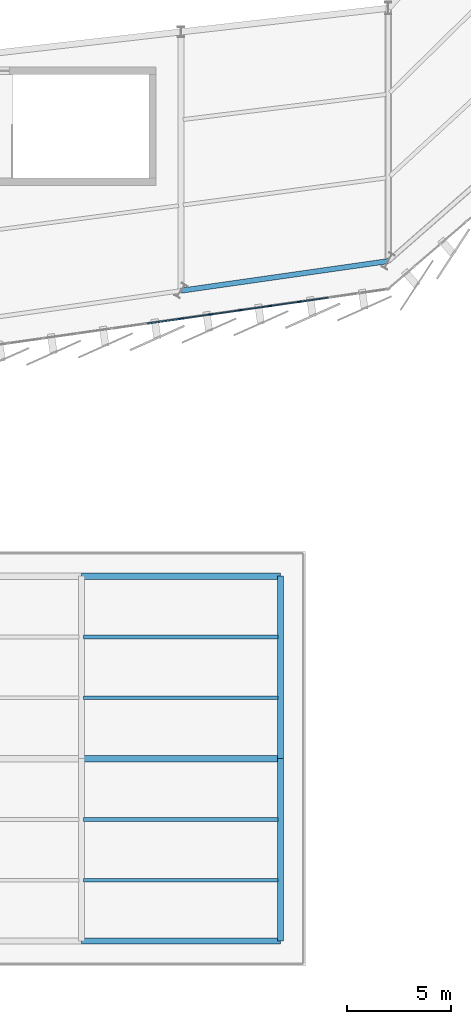
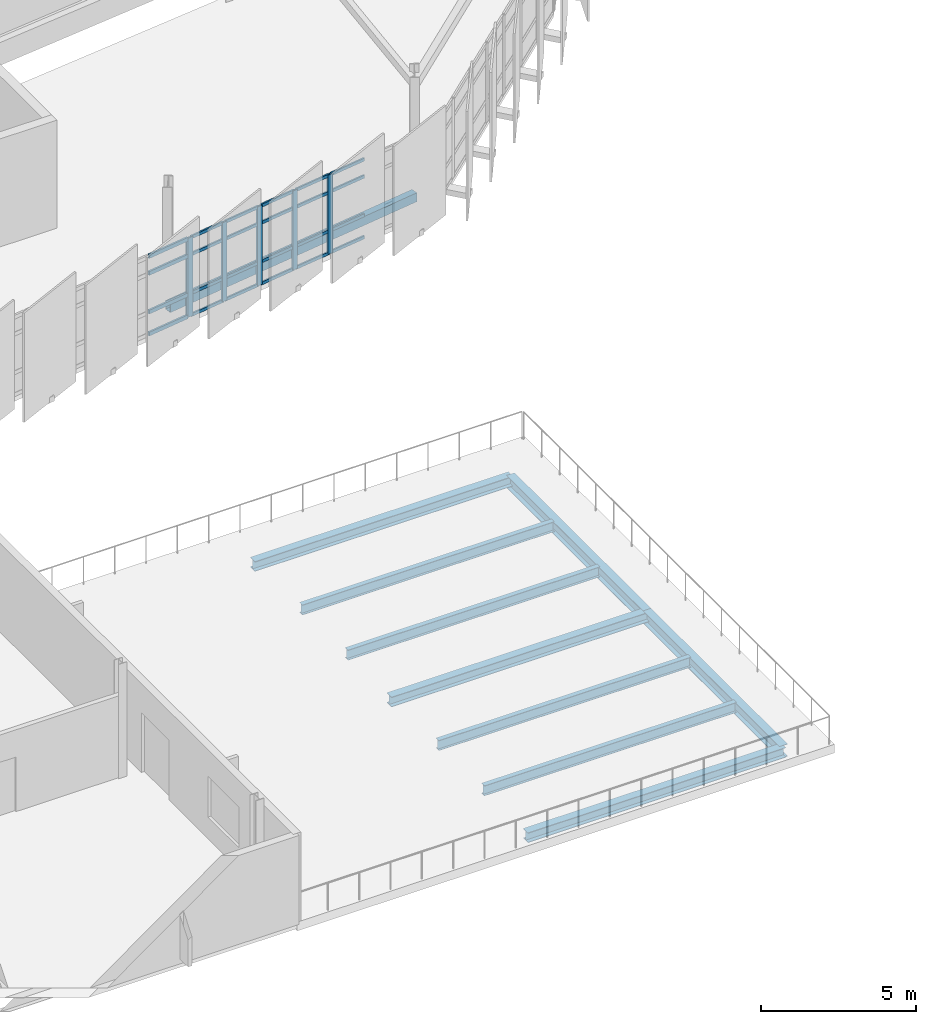
# One storey, part 39 of 87: 30 members, 10 beams, 2 elements without a shape of their own.
"""IFC4 building model written with IfcOpenShell, lengths in metres."""

from ifc_helpers import new_model, si_unit, direction, frame, origin, origin_2d, place, context, subcontext, project, spatial, rectangle, hollow_rectangle, i_section, extrude, material, layer, layer_set, material_profile, profile_set, type_object, element, aggregate, save


model = new_model("IFC4")

# Units and contexts
model_context = context("Model", 3, precision=1e-05, world=origin(), true_north=direction((0.0, 1.0)))
body_context = subcontext(model_context, "Body", "Model", "MODEL_VIEW")
ifc_project = project(units=[si_unit("LENGTHUNIT", "METRE"), si_unit("AREAUNIT", "SQUARE_METRE"), si_unit("VOLUMEUNIT", "CUBIC_METRE"), si_unit("PLANEANGLEUNIT", "RADIAN"), si_unit("MASSUNIT", "GRAM", prefix="KILO")], contexts=[model_context])

# Site, building, storey
site_placement = place(None, origin())
site = spatial("IfcSite", under=ifc_project, at=site_placement, CompositionType="ELEMENT")
building_placement = place(site_placement, origin())
building = spatial("IfcBuilding", under=site, at=building_placement, Name="Sohan Crest Arena", CompositionType="ELEMENT")
storey_placement = place(building_placement, frame((0.0, 0.0, 18.0)))
storey = spatial("IfcBuildingStorey", under=building, at=storey_placement, Name="L04", CompositionType="ELEMENT", Elevation=18.0)

# Curtain wall, member
ifc_material_1 = material(Name="Thermally broken anodised aluminium", Category="aluminium")
ifc_layer_1 = layer(ifc_material_1, 0.2099609375, Name="Thermally broken anodised aluminium")
ifc_layer_set_1 = layer_set([ifc_layer_1], Name="Thermally broken anodised aluminium")
curtain_wall_type_1 = type_object("IfcCurtainWallType", Name="ARC-CW06", PredefinedType="NOTDEFINED", material=ifc_layer_set_1)
curtain_wall_1_placement = place(storey_placement, origin())
curtain_wall_1 = element("IfcCurtainWall", 1, at=curtain_wall_1_placement, inside=storey, type_object=curtain_wall_type_1, Name="Unitised curtain wall CW-129", PredefinedType="NOTDEFINED")
ifc_material_profile_1 = material_profile(ifc_material_1, rectangle(XDim=0.06494140625, YDim=0.179931640625, at=origin_2d()), Name="ALU-MULL 65x180")
ifc_profile_set_1 = profile_set([ifc_material_profile_1], Name="Thermally broken anodised aluminium")
member_type_1 = type_object("IfcMemberType", Name="ARC-CW-ML02", PredefinedType="MULLION", material=ifc_profile_set_1)
member_1_placement = place(storey_placement, frame((157.9677734375, 37.21630859375, 0.0), z_axis=(0.0, 0.0, 1.0), x_axis=(-0.141365918403, 0.989957411768, 0.0)))
member_1 = element("IfcMember", 2, at=member_1_placement, type_object=member_type_1, Name="CW-129 mullion 7", PredefinedType="MULLION", context=body_context, shape_type="SweptSolid", body=[
    extrude(rectangle(XDim=0.06494140625, YDim=0.179931640625, at=origin_2d()), origin(), (0.0, 0.0, 1.0), 3.1201171875),
])

# Curtain wall, members
ifc_layer_2 = layer(ifc_material_1, 0.179931640625, Name="Thermally broken anodised aluminium")
ifc_layer_set_2 = layer_set([ifc_layer_2], Name="Thermally broken anodised aluminium")
curtain_wall_type_2 = type_object("IfcCurtainWallType", Name="ARC-CW01", PredefinedType="NOTDEFINED", material=ifc_layer_set_2)
curtain_wall_2_placement = place(storey_placement, origin())
curtain_wall_2 = element("IfcCurtainWall", 3, at=curtain_wall_2_placement, inside=storey, type_object=curtain_wall_type_2, Name="Unitised curtain wall CW-130", PredefinedType="NOTDEFINED")
ifc_material_profile_2 = material_profile(ifc_material_1, rectangle(XDim=0.070068359375, YDim=0.199951171875, at=origin_2d()), Name="ALU-MULL 70x200")
ifc_profile_set_2 = profile_set([ifc_material_profile_2], Name="Thermally broken anodised aluminium")
member_type_2 = type_object("IfcMemberType", Name="ARC-CW-ML03", PredefinedType="MULLION", material=ifc_profile_set_2)
member_2_placement = place(storey_placement, frame((158.03466796875, 37.225830078125, 0.0), z_axis=(0.0, 0.0, 1.0), x_axis=(-0.141462933734, 0.989943553128, 0.0)))
member_2 = element("IfcMember", 4, at=member_2_placement, type_object=member_type_2, Name="CW-130 mullion 1", PredefinedType="MULLION", context=body_context, shape_type="SweptSolid", body=[
    extrude(rectangle(XDim=0.070068359375, YDim=0.199951171875, at=origin_2d()), origin(), (0.0, 0.0, 1.0), 3.1201171875),
])
member_3_placement = place(storey_placement, frame((159.428466796875, 37.425048828125, 0.0), z_axis=(0.0, 0.0, 1.0), x_axis=(-0.141462933734, 0.989943553128, 0.0)))
member_3 = element("IfcMember", 5, at=member_3_placement, type_object=member_type_2, Name="CW-130 mullion 2", PredefinedType="MULLION", context=body_context, shape_type="SweptSolid", body=[
    extrude(rectangle(XDim=0.070068359375, YDim=0.199951171875, at=origin_2d()), origin(), (0.0, 0.0, 1.0), 3.1201171875),
])
member_4_placement = place(storey_placement, frame((160.857177734375, 37.62939453125, 0.0), z_axis=(0.0, 0.0, 1.0), x_axis=(-0.141462933734, 0.989943553128, 0.0)))
member_4 = element("IfcMember", 6, at=member_4_placement, type_object=member_type_2, Name="CW-130 mullion 3", PredefinedType="MULLION", context=body_context, shape_type="SweptSolid", body=[
    extrude(rectangle(XDim=0.070068359375, YDim=0.199951171875, at=origin_2d()), origin(), (0.0, 0.0, 1.0), 3.1201171875),
])
member_5_placement = place(storey_placement, frame((162.28564453125, 37.83349609375, 0.0), z_axis=(0.0, 0.0, 1.0), x_axis=(-0.141462933734, 0.989943553128, 0.0)))
member_5 = element("IfcMember", 7, at=member_5_placement, type_object=member_type_2, Name="CW-130 mullion 4", PredefinedType="MULLION", context=body_context, shape_type="SweptSolid", body=[
    extrude(rectangle(XDim=0.070068359375, YDim=0.199951171875, at=origin_2d()), origin(), (0.0, 0.0, 1.0), 3.1201171875),
])
member_6_placement = place(storey_placement, frame((163.71435546875, 38.03759765625, 0.0), z_axis=(0.0, 0.0, 1.0), x_axis=(-0.141462933734, 0.989943553128, 0.0)))
member_6 = element("IfcMember", 8, at=member_6_placement, type_object=member_type_2, Name="CW-130 mullion 5", PredefinedType="MULLION", context=body_context, shape_type="SweptSolid", body=[
    extrude(rectangle(XDim=0.070068359375, YDim=0.199951171875, at=origin_2d()), origin(), (0.0, 0.0, 1.0), 3.1201171875),
])
ifc_material_profile_3 = material_profile(ifc_material_1, rectangle(XDim=0.06005859375, YDim=0.1201171875, at=origin_2d()), Name="ALU-TRAN 60x120")
ifc_profile_set_3 = profile_set([ifc_material_profile_3], Name="Thermally broken anodised aluminium")
member_type_3 = type_object("IfcMemberType", Name="ARC-CW-TR01", PredefinedType="USERDEFINED", material=ifc_profile_set_3)
member_7_placement = place(storey_placement, frame((158.0693359375, 37.23095703125, 0.030029296875), z_axis=(0.989953142256, 0.141395813721, 0.0), x_axis=(-0.141395813721, 0.989953142256, 0.0)))
member_7 = element("IfcMember", 9, at=member_7_placement, type_object=member_type_3, Name="CW-130 transom 1.1", ObjectType="TRANSOM", PredefinedType="USERDEFINED", context=body_context, shape_type="SweptSolid", body=[
    extrude(rectangle(XDim=0.06005859375, YDim=0.1201171875, at=origin_2d()), origin(), (0.0, 0.0, 1.0), 1.338134765625),
])
member_8_placement = place(storey_placement, frame((158.0693359375, 37.23095703125, 0.89990234375), z_axis=(0.989953142256, 0.141395813721, 0.0), x_axis=(-0.141395813721, 0.989953142256, 0.0)))
member_8 = element("IfcMember", 10, at=member_8_placement, type_object=member_type_3, Name="CW-130 transom 1.2", ObjectType="TRANSOM", PredefinedType="USERDEFINED", context=body_context, shape_type="SweptSolid", body=[
    extrude(rectangle(XDim=0.06005859375, YDim=0.1201171875, at=origin_2d()), origin(), (0.0, 0.0, 1.0), 1.338134765625),
])
member_9_placement = place(storey_placement, frame((158.0693359375, 37.23095703125, 2.419921875), z_axis=(0.989953142256, 0.141395813721, 0.0), x_axis=(-0.141395813721, 0.989953142256, 0.0)))
member_9 = element("IfcMember", 11, at=member_9_placement, type_object=member_type_3, Name="CW-130 transom 1.3", ObjectType="TRANSOM", PredefinedType="USERDEFINED", context=body_context, shape_type="SweptSolid", body=[
    extrude(rectangle(XDim=0.06005859375, YDim=0.1201171875, at=origin_2d()), origin(), (0.0, 0.0, 1.0), 1.338134765625),
])
member_10_placement = place(storey_placement, frame((158.0693359375, 37.23095703125, 3.090087890625), z_axis=(0.989953142256, 0.141395813721, 0.0), x_axis=(-0.141395813721, 0.989953142256, 0.0)))
member_10 = element("IfcMember", 12, at=member_10_placement, type_object=member_type_3, Name="CW-130 transom 1.4", ObjectType="TRANSOM", PredefinedType="USERDEFINED", context=body_context, shape_type="SweptSolid", body=[
    extrude(rectangle(XDim=0.06005859375, YDim=0.1201171875, at=origin_2d()), origin(), (0.0, 0.0, 1.0), 1.338134765625),
])
member_11_placement = place(storey_placement, frame((159.463134765625, 37.43017578125, 0.030029296875), z_axis=(0.989960158519, 0.141346682116, 0.0), x_axis=(-0.141346682116, 0.989960158519, 0.0)))
member_11 = element("IfcMember", 13, at=member_11_placement, type_object=member_type_3, Name="CW-130 transom 2.1", ObjectType="TRANSOM", PredefinedType="USERDEFINED", context=body_context, shape_type="SweptSolid", body=[
    extrude(rectangle(XDim=0.06005859375, YDim=0.1201171875, at=origin_2d()), origin(), (0.0, 0.0, 1.0), 1.373046875),
])
member_12_placement = place(storey_placement, frame((159.463134765625, 37.43017578125, 0.89990234375), z_axis=(0.989960158519, 0.141346682116, 0.0), x_axis=(-0.141346682116, 0.989960158519, 0.0)))
member_12 = element("IfcMember", 14, at=member_12_placement, type_object=member_type_3, Name="CW-130 transom 2.2", ObjectType="TRANSOM", PredefinedType="USERDEFINED", context=body_context, shape_type="SweptSolid", body=[
    extrude(rectangle(XDim=0.06005859375, YDim=0.1201171875, at=origin_2d()), origin(), (0.0, 0.0, 1.0), 1.373046875),
])
member_13_placement = place(storey_placement, frame((159.463134765625, 37.43017578125, 2.419921875), z_axis=(0.989960158519, 0.141346682116, 0.0), x_axis=(-0.141346682116, 0.989960158519, 0.0)))
member_13 = element("IfcMember", 15, at=member_13_placement, type_object=member_type_3, Name="CW-130 transom 2.3", ObjectType="TRANSOM", PredefinedType="USERDEFINED", context=body_context, shape_type="SweptSolid", body=[
    extrude(rectangle(XDim=0.06005859375, YDim=0.1201171875, at=origin_2d()), origin(), (0.0, 0.0, 1.0), 1.373046875),
])
member_14_placement = place(storey_placement, frame((159.463134765625, 37.43017578125, 3.090087890625), z_axis=(0.989960158519, 0.141346682116, 0.0), x_axis=(-0.141346682116, 0.989960158519, 0.0)))
member_14 = element("IfcMember", 16, at=member_14_placement, type_object=member_type_3, Name="CW-130 transom 2.4", ObjectType="TRANSOM", PredefinedType="USERDEFINED", context=body_context, shape_type="SweptSolid", body=[
    extrude(rectangle(XDim=0.06005859375, YDim=0.1201171875, at=origin_2d()), origin(), (0.0, 0.0, 1.0), 1.373046875),
])
member_15_placement = place(storey_placement, frame((160.891845703125, 37.63427734375, 0.030029296875), z_axis=(0.989956605444, 0.141371564815, 0.0), x_axis=(-0.141371564815, 0.989956605444, 0.0)))
member_15 = element("IfcMember", 17, at=member_15_placement, type_object=member_type_3, Name="CW-130 transom 3.1", ObjectType="TRANSOM", PredefinedType="USERDEFINED", context=body_context, shape_type="SweptSolid", body=[
    extrude(rectangle(XDim=0.06005859375, YDim=0.1201171875, at=origin_2d()), origin(), (0.0, 0.0, 1.0), 1.372802734375),
])
member_16_placement = place(storey_placement, frame((160.891845703125, 37.63427734375, 0.89990234375), z_axis=(0.989956605444, 0.141371564815, 0.0), x_axis=(-0.141371564815, 0.989956605444, 0.0)))
member_16 = element("IfcMember", 18, at=member_16_placement, type_object=member_type_3, Name="CW-130 transom 3.2", ObjectType="TRANSOM", PredefinedType="USERDEFINED", context=body_context, shape_type="SweptSolid", body=[
    extrude(rectangle(XDim=0.06005859375, YDim=0.1201171875, at=origin_2d()), origin(), (0.0, 0.0, 1.0), 1.372802734375),
])
member_17_placement = place(storey_placement, frame((160.891845703125, 37.63427734375, 2.419921875), z_axis=(0.989956605444, 0.141371564815, 0.0), x_axis=(-0.141371564815, 0.989956605444, 0.0)))
member_17 = element("IfcMember", 19, at=member_17_placement, type_object=member_type_3, Name="CW-130 transom 3.3", ObjectType="TRANSOM", PredefinedType="USERDEFINED", context=body_context, shape_type="SweptSolid", body=[
    extrude(rectangle(XDim=0.06005859375, YDim=0.1201171875, at=origin_2d()), origin(), (0.0, 0.0, 1.0), 1.372802734375),
])
member_18_placement = place(storey_placement, frame((160.891845703125, 37.63427734375, 3.090087890625), z_axis=(0.989956605444, 0.141371564815, 0.0), x_axis=(-0.141371564815, 0.989956605444, 0.0)))
member_18 = element("IfcMember", 20, at=member_18_placement, type_object=member_type_3, Name="CW-130 transom 3.4", ObjectType="TRANSOM", PredefinedType="USERDEFINED", context=body_context, shape_type="SweptSolid", body=[
    extrude(rectangle(XDim=0.06005859375, YDim=0.1201171875, at=origin_2d()), origin(), (0.0, 0.0, 1.0), 1.372802734375),
])
member_19_placement = place(storey_placement, frame((162.3203125, 37.83837890625, 0.030029296875), z_axis=(0.989935265447, 0.141520917977, 0.0), x_axis=(-0.141520917977, 0.989935265447, 0.0)))
member_19 = element("IfcMember", 21, at=member_19_placement, type_object=member_type_3, Name="CW-130 transom 4.1", ObjectType="TRANSOM", PredefinedType="USERDEFINED", context=body_context, shape_type="SweptSolid", body=[
    extrude(rectangle(XDim=0.06005859375, YDim=0.1201171875, at=origin_2d()), origin(), (0.0, 0.0, 1.0), 1.373291015625),
])
member_20_placement = place(storey_placement, frame((162.3203125, 37.83837890625, 0.89990234375), z_axis=(0.989935265447, 0.141520917977, 0.0), x_axis=(-0.141520917977, 0.989935265447, 0.0)))
member_20 = element("IfcMember", 22, at=member_20_placement, type_object=member_type_3, Name="CW-130 transom 4.2", ObjectType="TRANSOM", PredefinedType="USERDEFINED", context=body_context, shape_type="SweptSolid", body=[
    extrude(rectangle(XDim=0.06005859375, YDim=0.1201171875, at=origin_2d()), origin(), (0.0, 0.0, 1.0), 1.373291015625),
])
member_21_placement = place(storey_placement, frame((162.3203125, 37.83837890625, 2.419921875), z_axis=(0.989935265447, 0.141520917977, 0.0), x_axis=(-0.141520917977, 0.989935265447, 0.0)))
member_21 = element("IfcMember", 23, at=member_21_placement, type_object=member_type_3, Name="CW-130 transom 4.3", ObjectType="TRANSOM", PredefinedType="USERDEFINED", context=body_context, shape_type="SweptSolid", body=[
    extrude(rectangle(XDim=0.06005859375, YDim=0.1201171875, at=origin_2d()), origin(), (0.0, 0.0, 1.0), 1.373291015625),
])
member_22_placement = place(storey_placement, frame((162.3203125, 37.83837890625, 3.090087890625), z_axis=(0.989935265447, 0.141520917977, 0.0), x_axis=(-0.141520917977, 0.989935265447, 0.0)))
member_22 = element("IfcMember", 24, at=member_22_placement, type_object=member_type_3, Name="CW-130 transom 4.4", ObjectType="TRANSOM", PredefinedType="USERDEFINED", context=body_context, shape_type="SweptSolid", body=[
    extrude(rectangle(XDim=0.06005859375, YDim=0.1201171875, at=origin_2d()), origin(), (0.0, 0.0, 1.0), 1.373291015625),
])
member_23_placement = place(storey_placement, frame((163.7490234375, 38.04248046875, 0.030029296875), z_axis=(0.989931703696, 0.141545830096, 0.0), x_axis=(-0.141545830096, 0.989931703696, 0.0)))
member_23 = element("IfcMember", 25, at=member_23_placement, type_object=member_type_3, Name="CW-130 transom 5.1", ObjectType="TRANSOM", PredefinedType="USERDEFINED", context=body_context, shape_type="SweptSolid", body=[
    extrude(rectangle(XDim=0.06005859375, YDim=0.1201171875, at=origin_2d()), origin(), (0.0, 0.0, 1.0), 1.373046875),
])
member_24_placement = place(storey_placement, frame((163.7490234375, 38.04248046875, 0.89990234375), z_axis=(0.989931703696, 0.141545830096, 0.0), x_axis=(-0.141545830096, 0.989931703696, 0.0)))
member_24 = element("IfcMember", 26, at=member_24_placement, type_object=member_type_3, Name="CW-130 transom 5.2", ObjectType="TRANSOM", PredefinedType="USERDEFINED", context=body_context, shape_type="SweptSolid", body=[
    extrude(rectangle(XDim=0.06005859375, YDim=0.1201171875, at=origin_2d()), origin(), (0.0, 0.0, 1.0), 1.373046875),
])
member_25_placement = place(storey_placement, frame((163.7490234375, 38.04248046875, 2.419921875), z_axis=(0.989931703696, 0.141545830096, 0.0), x_axis=(-0.141545830096, 0.989931703696, 0.0)))
member_25 = element("IfcMember", 27, at=member_25_placement, type_object=member_type_3, Name="CW-130 transom 5.3", ObjectType="TRANSOM", PredefinedType="USERDEFINED", context=body_context, shape_type="SweptSolid", body=[
    extrude(rectangle(XDim=0.06005859375, YDim=0.1201171875, at=origin_2d()), origin(), (0.0, 0.0, 1.0), 1.373046875),
])
member_26_placement = place(storey_placement, frame((163.7490234375, 38.04248046875, 3.090087890625), z_axis=(0.989931703696, 0.141545830096, 0.0), x_axis=(-0.141545830096, 0.989931703696, 0.0)))
member_26 = element("IfcMember", 28, at=member_26_placement, type_object=member_type_3, Name="CW-130 transom 5.4", ObjectType="TRANSOM", PredefinedType="USERDEFINED", context=body_context, shape_type="SweptSolid", body=[
    extrude(rectangle(XDim=0.06005859375, YDim=0.1201171875, at=origin_2d()), origin(), (0.0, 0.0, 1.0), 1.373046875),
])
aggregate(curtain_wall_2, [member_2, member_3, member_4, member_5, member_6, member_7, member_8, member_9, member_10, member_11, member_12, member_13, member_14, member_15, member_16, member_17, member_18, member_19, member_20, member_21, member_22, member_23, member_24, member_25, member_26])

# Member
ifc_material_profile_4 = material_profile(ifc_material_1, rectangle(XDim=0.070068359375, YDim=0.14990234375, at=origin_2d()), Name="ALU-TRAN 70x150")
ifc_profile_set_4 = profile_set([ifc_material_profile_4], Name="Thermally broken anodised aluminium")
member_type_4 = type_object("IfcMemberType", Name="ARC-CW-TR03", PredefinedType="USERDEFINED", material=ifc_profile_set_4)
member_27_placement = place(storey_placement, frame((156.365478515625, 36.987548828125, 0.034912109375), z_axis=(0.989943335402, 0.141464457353, 0.0), x_axis=(-0.141464457353, 0.989943335402, 0.0)))
member_27 = element("IfcMember", 29, at=member_27_placement, type_object=member_type_4, Name="CW-129 transom 6.1", ObjectType="TRANSOM", PredefinedType="USERDEFINED", context=body_context, shape_type="SweptSolid", body=[
    extrude(rectangle(XDim=0.070068359375, YDim=0.14990234375, at=origin_2d()), origin(), (0.0, 0.0, 1.0), 1.5859375),
])

member_28_placement = place(storey_placement, frame((156.365478515625, 36.987548828125, 0.89990234375), z_axis=(0.989943335402, 0.141464457353, 0.0), x_axis=(-0.141464457353, 0.989943335402, 0.0)))
member_28 = element("IfcMember", 30, at=member_28_placement, type_object=member_type_4, Name="CW-129 transom 6.2", ObjectType="TRANSOM", PredefinedType="USERDEFINED", context=body_context, shape_type="SweptSolid", body=[
    extrude(rectangle(XDim=0.070068359375, YDim=0.14990234375, at=origin_2d()), origin(), (0.0, 0.0, 1.0), 1.5859375),
])

member_29_placement = place(storey_placement, frame((156.365478515625, 36.987548828125, 2.419921875), z_axis=(0.989943335402, 0.141464457353, 0.0), x_axis=(-0.141464457353, 0.989943335402, 0.0)))
member_29 = element("IfcMember", 31, at=member_29_placement, type_object=member_type_4, Name="CW-129 transom 6.3", ObjectType="TRANSOM", PredefinedType="USERDEFINED", context=body_context, shape_type="SweptSolid", body=[
    extrude(rectangle(XDim=0.070068359375, YDim=0.14990234375, at=origin_2d()), origin(), (0.0, 0.0, 1.0), 1.5859375),
])

member_30_placement = place(storey_placement, frame((156.365478515625, 36.987548828125, 3.0849609375), z_axis=(0.989943335402, 0.141464457353, 0.0), x_axis=(-0.141464457353, 0.989943335402, 0.0)))
member_30 = element("IfcMember", 32, at=member_30_placement, type_object=member_type_4, Name="CW-129 transom 6.4", ObjectType="TRANSOM", PredefinedType="USERDEFINED", context=body_context, shape_type="SweptSolid", body=[
    extrude(rectangle(XDim=0.070068359375, YDim=0.14990234375, at=origin_2d()), origin(), (0.0, 0.0, 1.0), 1.5859375),
])

aggregate(curtain_wall_1, [member_1, member_27, member_28, member_29, member_30])

# Beams
ifc_material_2 = material(Name="Steel S355", Category="steel")
ifc_material_profile_5 = material_profile(ifc_material_2, i_section(OverallWidth=0.179931640625, OverallDepth=0.39990234375, WebThickness=0.008544921875, FlangeThickness=0.013427734375, at=origin_2d()), Name="IPE 400")
ifc_profile_set_5 = profile_set([ifc_material_profile_5], Name="Steel S355")
beam_type_1 = type_object("IfcBeamType", Name="STR-BM-B03", PredefinedType="JOIST", material=ifc_profile_set_5)
for number, where, z_axis, x_axis, name in (
    (33, (153.31005859375, 10.133056640625, -0.544921875), (1.0, 0.0, 0.0), (0.0, 1.0, 0.0), "Structural beam J-L04-2817"),
    (34, (153.31005859375, 13.06689453125, -0.544921875), (1.0, 0.0, 0.0), (0.0, 1.0, 0.0), "Structural beam J-L04-2818"),
    (35, (153.31005859375, 18.93310546875, -0.544921875), (1.0, 0.0, 0.0), (0.0, 1.0, 0.0), "Structural beam J-L04-2836"),
    (36, (153.31005859375, 21.866943359375, -0.544921875), (1.0, 0.0, 0.0), (0.0, 1.0, 0.0), "Structural beam J-L04-2837"),
):
    element("IfcBeam", number, at=place(storey_placement, frame(where, z_axis=z_axis, x_axis=x_axis)), inside=storey, type_object=beam_type_1, Name=name, PredefinedType="JOIST", context=body_context, shape_type="SweptSolid", body=[
        extrude(i_section(OverallWidth=0.179931640625, OverallDepth=0.39990234375, WebThickness=0.008544921875, FlangeThickness=0.013427734375, at=origin_2d()), origin(), (0.0, 0.0, 1.0), 9.3798828125),
    ])
ifc_material_profile_6 = material_profile(ifc_material_2, i_section(OverallWidth=0.300048828125, OverallDepth=0.389892578125, WebThickness=0.010986328125, FlangeThickness=0.01904296875, at=origin_2d()), Name="HEA 400")
ifc_profile_set_6 = profile_set([ifc_material_profile_6], Name="Steel S355")
beam_type_2 = type_object("IfcBeamType", Name="STR-BM-B09", PredefinedType="BEAM", material=ifc_profile_set_6)
for number, where, z_axis, x_axis, name in (
    (37, (153.199951171875, 7.199951171875, -0.5400390625), (1.0, 0.0, 0.0), (0.0, 1.0, 0.0), "Structural beam G-L04-2816"),
    (38, (153.199951171875, 16.0, -0.5400390625), (1.0, 0.0, 0.0), (0.0, 1.0, 0.0), "Structural beam G-L04-2835"),
    (39, (153.199951171875, 24.800048828125, -0.5400390625), (1.0, 0.0, 0.0), (0.0, 1.0, 0.0), "Structural beam G-L04-2846"),
):
    element("IfcBeam", number, at=place(storey_placement, frame(where, z_axis=z_axis, x_axis=x_axis)), inside=storey, type_object=beam_type_2, Name=name, PredefinedType="BEAM", context=body_context, shape_type="SweptSolid", body=[
        extrude(i_section(OverallWidth=0.300048828125, OverallDepth=0.389892578125, WebThickness=0.010986328125, FlangeThickness=0.01904296875, at=origin_2d()), origin(), (0.0, 0.0, 1.0), 9.60009765625),
    ])
ifc_material_profile_7 = material_profile(ifc_material_2, i_section(OverallWidth=0.300048828125, OverallDepth=0.489990234375, WebThickness=0.011962890625, FlangeThickness=0.02294921875, at=origin_2d()), Name="HEA 500")
ifc_profile_set_7 = profile_set([ifc_material_profile_7], Name="Steel S355")
beam_type_3 = type_object("IfcBeamType", Name="STR-BM-B10", PredefinedType="BEAM", material=ifc_profile_set_7)
for number, where, z_axis, x_axis, name in (
    (40, (162.800048828125, 7.199951171875, -0.590087890625), (0.0, 1.0, 0.0), (-1.0, 0.0, 0.0), "Structural beam G-L04-2790"),
    (41, (162.800048828125, 16.0, -0.590087890625), (0.0, 1.0, 0.0), (-1.0, 0.0, 0.0), "Structural beam G-L04-2791"),
):
    element("IfcBeam", number, at=place(storey_placement, frame(where, z_axis=z_axis, x_axis=x_axis)), inside=storey, type_object=beam_type_3, Name=name, PredefinedType="BEAM", context=body_context, shape_type="SweptSolid", body=[
        extrude(i_section(OverallWidth=0.300048828125, OverallDepth=0.489990234375, WebThickness=0.011962890625, FlangeThickness=0.02294921875, at=origin_2d()), origin(), (0.0, 0.0, 1.0), 8.800048828125),
    ])
ifc_material_profile_8 = material_profile(ifc_material_2, hollow_rectangle(XDim=0.25, YDim=0.35009765625, WallThickness=0.012451171875, at=origin_2d()), Name="RHS 350x250x12.5")
ifc_profile_set_8 = profile_set([ifc_material_profile_8], Name="Steel S355")
beam_type_4 = type_object("IfcBeamType", Name="STR-BM-SP04", PredefinedType="SPANDREL", material=ifc_profile_set_8)
beam_placement = place(storey_placement, frame((158.0, 38.571044921875, -0.425048828125), z_axis=(0.989944175879, 0.141458575718, 0.0), x_axis=(-0.141458575718, 0.989944175879, 0.0)))
element("IfcBeam", 42, at=beam_placement, inside=storey, type_object=beam_type_4, Name="Structural beam SP-L04-1631", PredefinedType="SPANDREL", context=body_context, shape_type="SweptSolid", body=[
    extrude(hollow_rectangle(XDim=0.25, YDim=0.35009765625, WallThickness=0.012451171875, at=origin_2d()), origin(), (0.0, 0.0, 1.0), 10.1015625),
])

save(model, "model.ifc")
